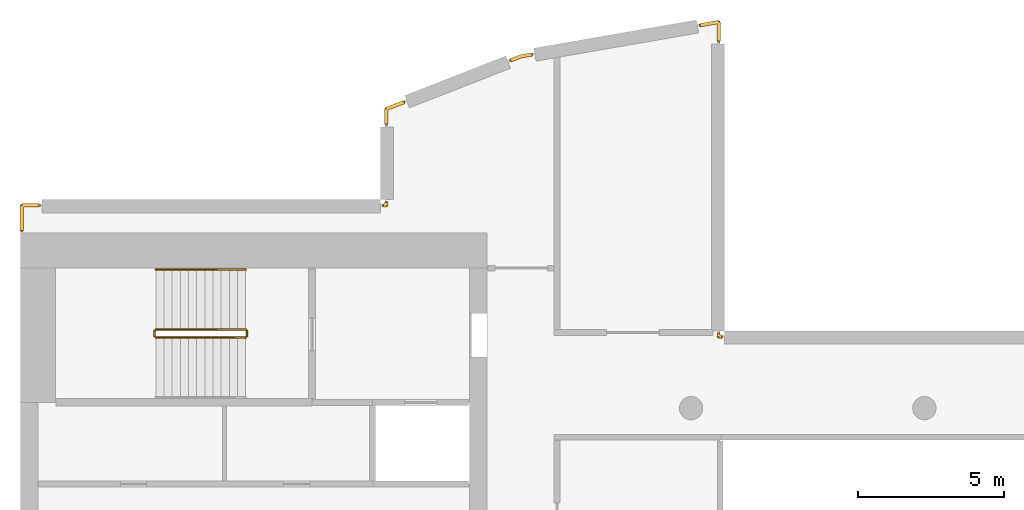
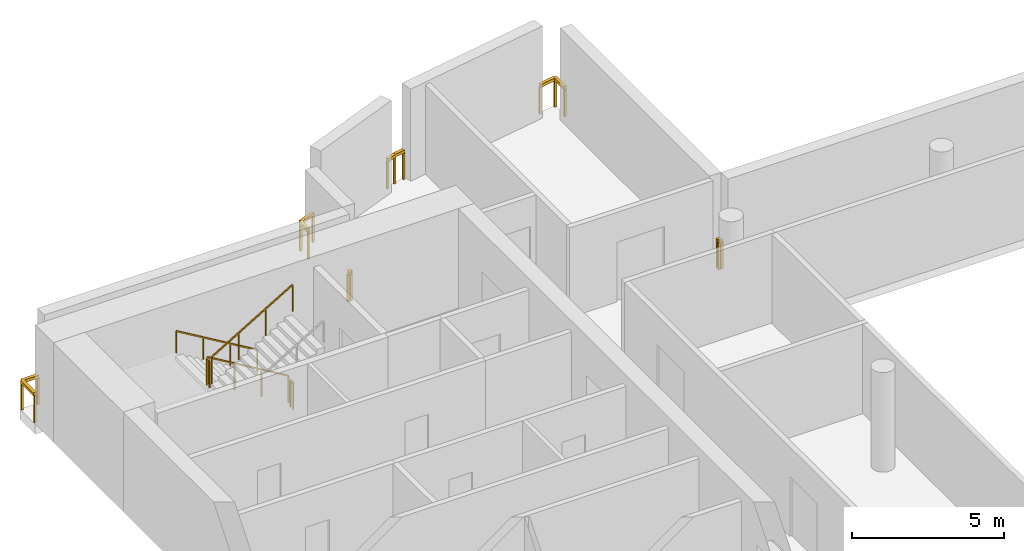
# One storey, part 7 of 8: 11 railings.
"""IFC4 building model written with IfcOpenShell, lengths in metres."""

from ifc_helpers import new_model, si_unit, direction, frame, origin, origin_2d, place, context, subcontext, project, spatial, rectangle, extrude, material, type_object, element, save


model = new_model("IFC4")

# Units and contexts
model_context = context("Model", 3, precision=1e-05, world=origin(), true_north=direction((0.0, 1.0)))
body_context = subcontext(model_context, "Body", "Model", "MODEL_VIEW")
ifc_project = project(units=[si_unit("LENGTHUNIT", "METRE"), si_unit("AREAUNIT", "SQUARE_METRE"), si_unit("VOLUMEUNIT", "CUBIC_METRE"), si_unit("PLANEANGLEUNIT", "RADIAN"), si_unit("MASSUNIT", "GRAM", prefix="KILO")], contexts=[model_context])

# Site, building, storey
site_placement = place(None, origin())
site = spatial("IfcSite", under=ifc_project, at=site_placement, CompositionType="ELEMENT")
building_placement = place(site_placement, origin())
building = spatial("IfcBuilding", under=site, at=building_placement, Name="Cypress Arch Tower", CompositionType="ELEMENT")
storey_placement = place(building_placement, frame((0.0, 0.0, 351.0)))
storey = spatial("IfcBuildingStorey", under=building, at=storey_placement, Name="L80", CompositionType="ELEMENT", Elevation=351.0)

# Railings
ifc_material_1 = material(Name="Stainless steel posts and handrail, laminated glass infill", Category="steel")
railing_type_1 = type_object("IfcRailingType", Name="Deck guard GR1200D", PredefinedType="GUARDRAIL", material=ifc_material_1)
railing_1_placement = place(storey_placement, frame((-29.949951171875, 16.10009765625, 0.0)))
element("IfcRailing", 1, at=railing_1_placement, inside=storey, type_object=railing_type_1, Name="Crown edge guard L80 2", PredefinedType="GUARDRAIL", context=body_context, shape_type="SweptSolid", body=[
    extrude(rectangle(XDim=0.1201171875, YDim=0.1201171875, at=origin_2d()), frame((0.0, 0.0, 1.139892578125), z_axis=(0.0, 1.0, 0.0), x_axis=(-1.0, 0.0, 0.0)), (0.0, 0.0, 1.0), 0.849853515625),
    extrude(rectangle(XDim=0.1201171875, YDim=0.1201171875, at=origin_2d()), frame((0.0, 0.849853515625, 1.139892578125), z_axis=(1.0, 0.0, 0.0), x_axis=(0.0, 1.0, 0.0)), (0.0, 0.0, 1.0), 0.599853515625),
    extrude(rectangle(XDim=0.080078125, YDim=0.080078125, at=origin_2d()), origin(), (0.0, 0.0, 1.0), 1.079833984375),
    extrude(rectangle(XDim=0.080078125, YDim=0.080078125, at=origin_2d()), frame((0.0, 0.849853515625, 0.0)), (0.0, 0.0, 1.0), 1.079833984375),
    extrude(rectangle(XDim=0.080078125, YDim=0.080078125, at=origin_2d()), frame((0.599853515625, 0.849853515625, 0.0)), (0.0, 0.0, 1.0), 1.079833984375),
])
railing_2_placement = place(storey_placement, frame((-17.550048828125, 16.949951171875, 0.0)))
element("IfcRailing", 2, at=railing_2_placement, inside=storey, type_object=railing_type_1, Name="Crown edge guard L80 5", PredefinedType="GUARDRAIL", context=body_context, shape_type="SweptSolid", body=[
    extrude(rectangle(XDim=0.1201171875, YDim=0.1201171875, at=origin_2d()), frame((0.0, 0.0, 1.139892578125), z_axis=(1.0, 0.0, 0.0), x_axis=(0.0, 1.0, 0.0)), (0.0, 0.0, 1.0), 0.10009765625),
    extrude(rectangle(XDim=0.1201171875, YDim=0.1201171875, at=origin_2d()), frame((0.10009765625, 0.0, 1.139892578125), z_axis=(0.0, 1.0, 0.0), x_axis=(-1.0, 0.0, 0.0)), (0.0, 0.0, 1.0), 0.10009765625),
    extrude(rectangle(XDim=0.080078125, YDim=0.080078125, at=origin_2d()), origin(), (0.0, 0.0, 1.0), 1.079833984375),
    extrude(rectangle(XDim=0.080078125, YDim=0.080078125, at=origin_2d()), frame((0.10009765625, 0.0, 0.0)), (0.0, 0.0, 1.0), 1.079833984375),
    extrude(rectangle(XDim=0.080078125, YDim=0.080078125, at=origin_2d()), frame((0.10009765625, 0.10009765625, 0.0)), (0.0, 0.0, 1.0), 1.079833984375),
])
railing_3_placement = place(storey_placement, frame((-17.449951171875, 19.7353515625, 0.0)))
element("IfcRailing", 3, at=railing_3_placement, inside=storey, type_object=railing_type_1, Name="Crown edge guard L80 6", PredefinedType="GUARDRAIL", context=body_context, shape_type="SweptSolid", body=[
    extrude(rectangle(XDim=0.1201171875, YDim=0.1201171875, at=origin_2d()), frame((0.0, 0.0, 1.139892578125), z_axis=(0.0, 1.0, 0.0), x_axis=(-1.0, 0.0, 0.0)), (0.0, 0.0, 1.0), 0.5205078125),
    extrude(rectangle(XDim=0.1201171875, YDim=0.1201171875, at=origin_2d()), frame((0.0, 0.5205078125, 1.139892578125), z_axis=(0.93118214657, 0.364554261954, 0.0), x_axis=(-0.364554261954, 0.93118214657, 0.0)), (0.0, 0.0, 1.0), 0.653564453125),
    extrude(rectangle(XDim=0.080078125, YDim=0.080078125, at=origin_2d()), origin(), (0.0, 0.0, 1.0), 1.079833984375),
    extrude(rectangle(XDim=0.080078125, YDim=0.080078125, at=origin_2d()), frame((0.0, 0.5205078125, 0.0)), (0.0, 0.0, 1.0), 1.079833984375),
    extrude(rectangle(XDim=0.080078125, YDim=0.080078125, at=origin_2d()), frame((0.608642578125, 0.7587890625, 0.0)), (0.0, 0.0, 1.0), 1.079833984375),
])
railing_4_placement = place(storey_placement, frame((-13.185791015625, 21.9248046875, 0.0)))
element("IfcRailing", 4, at=railing_4_placement, inside=storey, type_object=railing_type_1, Name="Crown edge guard L80 8", PredefinedType="GUARDRAIL", context=body_context, shape_type="SweptSolid", body=[
    extrude(rectangle(XDim=0.1201171875, YDim=0.1201171875, at=origin_2d()), frame((0.0, 0.0, 1.139892578125), z_axis=(0.931233178051, 0.364423885191, 0.0), x_axis=(-0.364423885191, 0.931233178051, 0.0)), (0.0, 0.0, 1.0), 0.375244140625),
    extrude(rectangle(XDim=0.1201171875, YDim=0.1201171875, at=origin_2d()), frame((0.349365234375, 0.13671875, 1.139892578125), z_axis=(0.985183769906, 0.171502010235, 0.0), x_axis=(-0.171502010235, 0.985183769906, 0.0)), (0.0, 0.0, 1.0), 0.38427734375),
    extrude(rectangle(XDim=0.080078125, YDim=0.080078125, at=origin_2d()), origin(), (0.0, 0.0, 1.0), 1.079833984375),
    extrude(rectangle(XDim=0.080078125, YDim=0.080078125, at=origin_2d()), frame((0.349365234375, 0.13671875, 0.0)), (0.0, 0.0, 1.0), 1.079833984375),
    extrude(rectangle(XDim=0.080078125, YDim=0.080078125, at=origin_2d()), frame((0.72802734375, 0.20263671875, 0.0)), (0.0, 0.0, 1.0), 1.079833984375),
])
railing_5_placement = place(storey_placement, frame((-6.6875, 23.1298828125, 0.0)))
element("IfcRailing", 5, at=railing_5_placement, inside=storey, type_object=railing_type_1, Name="Crown edge guard L80 10", PredefinedType="GUARDRAIL", context=body_context, shape_type="SweptSolid", body=[
    extrude(rectangle(XDim=0.1201171875, YDim=0.1201171875, at=origin_2d()), frame((0.0, 0.0, 1.139892578125), z_axis=(0.985280914319, 0.170943031094, 0.0), x_axis=(-0.170943031094, 0.985280914319, 0.0)), (0.0, 0.0, 1.0), 0.64697265625),
    extrude(rectangle(XDim=0.1201171875, YDim=0.1201171875, at=origin_2d()), frame((0.637451171875, 0.110595703125, 1.139892578125), z_axis=(0.0, -1.0, 0.0), x_axis=(1.0, 0.0, 0.0)), (0.0, 0.0, 1.0), 0.65380859375),
    extrude(rectangle(XDim=0.080078125, YDim=0.080078125, at=origin_2d()), origin(), (0.0, 0.0, 1.0), 1.079833984375),
    extrude(rectangle(XDim=0.080078125, YDim=0.080078125, at=origin_2d()), frame((0.637451171875, 0.110595703125, 0.0)), (0.0, 0.0, 1.0), 1.079833984375),
    extrude(rectangle(XDim=0.080078125, YDim=0.080078125, at=origin_2d()), frame((0.637451171875, -0.543212890625, 0.0)), (0.0, 0.0, 1.0), 1.079833984375),
])
railing_6_placement = place(storey_placement, frame((-6.050048828125, 12.550048828125, 0.0)))
element("IfcRailing", 6, at=railing_6_placement, inside=storey, type_object=railing_type_1, Name="Crown edge guard L80 11", PredefinedType="GUARDRAIL", context=body_context, shape_type="SweptSolid", body=[
    extrude(rectangle(XDim=0.1201171875, YDim=0.1201171875, at=origin_2d()), frame((0.0, 0.0, 1.139892578125), z_axis=(0.0, -1.0, 0.0), x_axis=(1.0, 0.0, 0.0)), (0.0, 0.0, 1.0), 0.10009765625),
    extrude(rectangle(XDim=0.1201171875, YDim=0.1201171875, at=origin_2d()), frame((0.0, -0.10009765625, 1.139892578125), z_axis=(1.0, 0.0, 0.0), x_axis=(0.0, 1.0, 0.0)), (0.0, 0.0, 1.0), 0.10009765625),
    extrude(rectangle(XDim=0.080078125, YDim=0.080078125, at=origin_2d()), origin(), (0.0, 0.0, 1.0), 1.079833984375),
    extrude(rectangle(XDim=0.080078125, YDim=0.080078125, at=origin_2d()), frame((0.0, -0.10009765625, 0.0)), (0.0, 0.0, 1.0), 1.079833984375),
    extrude(rectangle(XDim=0.080078125, YDim=0.080078125, at=origin_2d()), frame((0.10009765625, -0.10009765625, 0.0)), (0.0, 0.0, 1.0), 1.079833984375),
])
ifc_material_2 = material(Name="Black powder-coated steel square bar 48 mm", Category="steel")
railing_type_2 = type_object("IfcRailingType", Name="Stair handrail HR1", PredefinedType="HANDRAIL", material=ifc_material_2)
railing_7_placement = place(storey_placement, frame((-22.27490234375, 14.75, 0.166748046875)))
element("IfcRailing", 7, at=railing_7_placement, inside=storey, type_object=railing_type_2, Name="L80 B stair handrail 1", PredefinedType="HANDRAIL", context=body_context, shape_type="SweptSolid", body=[
    extrude(rectangle(XDim=0.048095703125, YDim=0.048095703125, at=origin_2d()), frame((0.0, 0.0, 0.8759765625), z_axis=(-0.859308565015, 0.0, 0.511457515432), x_axis=(0.0, -1.0, 0.0)), (0.0, 0.0, 1.0), 3.58447265625),
    extrude(rectangle(XDim=0.0419921875, YDim=0.0419921875, at=origin_2d()), origin(), (0.0, 0.0, 1.0), 0.851806640625),
    extrude(rectangle(XDim=0.0419921875, YDim=0.0419921875, at=origin_2d()), frame((-1.026611328125, 0.0, 0.611083984375)), (0.0, 0.0, 1.0), 0.851806640625),
    extrude(rectangle(XDim=0.0419921875, YDim=0.0419921875, at=origin_2d()), frame((-2.053466796875, 0.0, 1.22216796875)), (0.0, 0.0, 1.0), 0.851806640625),
    extrude(rectangle(XDim=0.0419921875, YDim=0.0419921875, at=origin_2d()), frame((-3.080078125, 0.0, 1.833251953125)), (0.0, 0.0, 1.0), 0.851806640625),
])
ifc_material_3 = material(Name="Black powder-coated steel balusters", Category="steel")
railing_type_3 = type_object("IfcRailingType", Name="Stair well guard G1", PredefinedType="GUARDRAIL", material=ifc_material_3)
railing_8_placement = place(storey_placement, frame((-22.27490234375, 12.699951171875, 0.166748046875)))
element("IfcRailing", 8, at=railing_8_placement, inside=storey, type_object=railing_type_3, Name="L80 B stair guard 1", PredefinedType="GUARDRAIL", context=body_context, shape_type="SweptSolid", body=[
    extrude(rectangle(XDim=0.048095703125, YDim=0.048095703125, at=origin_2d()), frame((0.0, 0.0, 1.076171875), z_axis=(-0.859308565015, 0.0, 0.511457515432), x_axis=(0.0, -1.0, 0.0)), (0.0, 0.0, 1.0), 3.58447265625),
    extrude(rectangle(XDim=0.0419921875, YDim=0.0419921875, at=origin_2d()), origin(), (0.0, 0.0, 1.0), 1.052001953125),
    extrude(rectangle(XDim=0.0419921875, YDim=0.0419921875, at=origin_2d()), frame((-1.026611328125, 0.0, 0.611083984375)), (0.0, 0.0, 1.0), 1.052001953125),
    extrude(rectangle(XDim=0.0419921875, YDim=0.0419921875, at=origin_2d()), frame((-2.053466796875, 0.0, 1.22216796875)), (0.0, 0.0, 1.0), 1.052001953125),
    extrude(rectangle(XDim=0.0419921875, YDim=0.0419921875, at=origin_2d()), frame((-3.080078125, 0.0, 1.833251953125)), (0.0, 0.0, 1.0), 1.052001953125),
])
railing_9_placement = place(storey_placement, frame((-25.405029296875, 12.64990234375, 2.0)))
element("IfcRailing", 9, at=railing_9_placement, inside=storey, type_object=railing_type_3, Name="L80 B stair guard 2", PredefinedType="GUARDRAIL", context=body_context, shape_type="SweptSolid", body=[
    extrude(rectangle(XDim=0.048095703125, YDim=0.048095703125, at=origin_2d()), frame((0.0, 0.0, 1.076171875), z_axis=(0.0, -1.0, 0.0), x_axis=(1.0, 0.0, 0.0)), (0.0, 0.0, 1.0), 0.1748046875),
    extrude(rectangle(XDim=0.0419921875, YDim=0.0419921875, at=origin_2d()), origin(), (0.0, 0.0, 1.0), 1.052001953125),
    extrude(rectangle(XDim=0.0419921875, YDim=0.0419921875, at=origin_2d()), frame((0.0, -0.1748046875, 0.0)), (0.0, 0.0, 1.0), 1.052001953125),
])
railing_10_placement = place(storey_placement, frame((-25.35498046875, 12.425048828125, 2.166748046875)))
element("IfcRailing", 10, at=railing_10_placement, inside=storey, type_object=railing_type_3, Name="L80 B stair guard 3", PredefinedType="GUARDRAIL", context=body_context, shape_type="SweptSolid", body=[
    extrude(rectangle(XDim=0.048095703125, YDim=0.048095703125, at=origin_2d()), frame((0.0, 0.0, 1.076171875), z_axis=(0.859308565015, 0.0, 0.511457515432), x_axis=(0.0, 1.0, 0.0)), (0.0, 0.0, 1.0), 3.58447265625),
    extrude(rectangle(XDim=0.0419921875, YDim=0.0419921875, at=origin_2d()), origin(), (0.0, 0.0, 1.0), 1.052001953125),
    extrude(rectangle(XDim=0.0419921875, YDim=0.0419921875, at=origin_2d()), frame((1.026611328125, 0.0, 0.611083984375)), (0.0, 0.0, 1.0), 1.052001953125),
    extrude(rectangle(XDim=0.0419921875, YDim=0.0419921875, at=origin_2d()), frame((2.053466796875, 0.0, 1.22216796875)), (0.0, 0.0, 1.0), 1.052001953125),
    extrude(rectangle(XDim=0.0419921875, YDim=0.0419921875, at=origin_2d()), frame((3.080078125, 0.0, 1.833251953125)), (0.0, 0.0, 1.0), 1.052001953125),
])
railing_11_placement = place(storey_placement, frame((-22.22509765625, 12.64990234375, 0.0)))
element("IfcRailing", 11, at=railing_11_placement, inside=storey, type_object=railing_type_3, Name="L80 B stair guard 4", PredefinedType="GUARDRAIL", context=body_context, shape_type="SweptSolid", body=[
    extrude(rectangle(XDim=0.048095703125, YDim=0.048095703125, at=origin_2d()), frame((0.0, 0.0, 1.076171875), z_axis=(0.0, -1.0, 0.0), x_axis=(1.0, 0.0, 0.0)), (0.0, 0.0, 1.0), 0.1748046875),
    extrude(rectangle(XDim=0.0419921875, YDim=0.0419921875, at=origin_2d()), origin(), (0.0, 0.0, 1.0), 1.052001953125),
    extrude(rectangle(XDim=0.0419921875, YDim=0.0419921875, at=origin_2d()), frame((0.0, -0.1748046875, 0.0)), (0.0, 0.0, 1.0), 1.052001953125),
])

save(model, "model.ifc")
